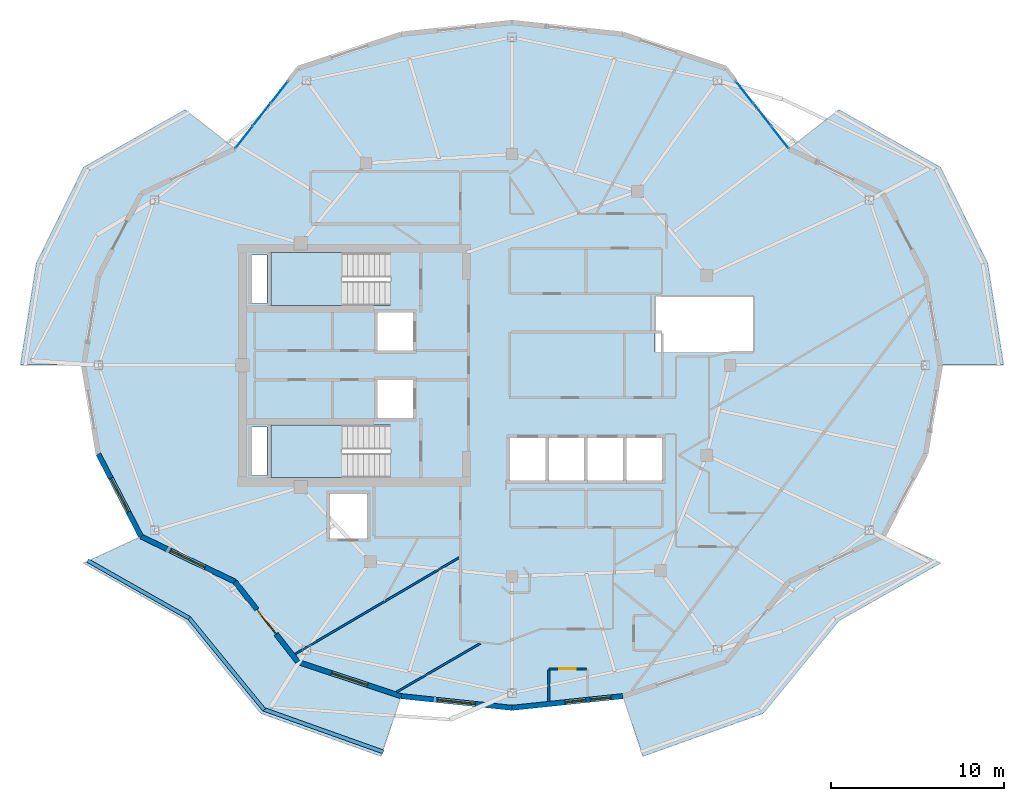
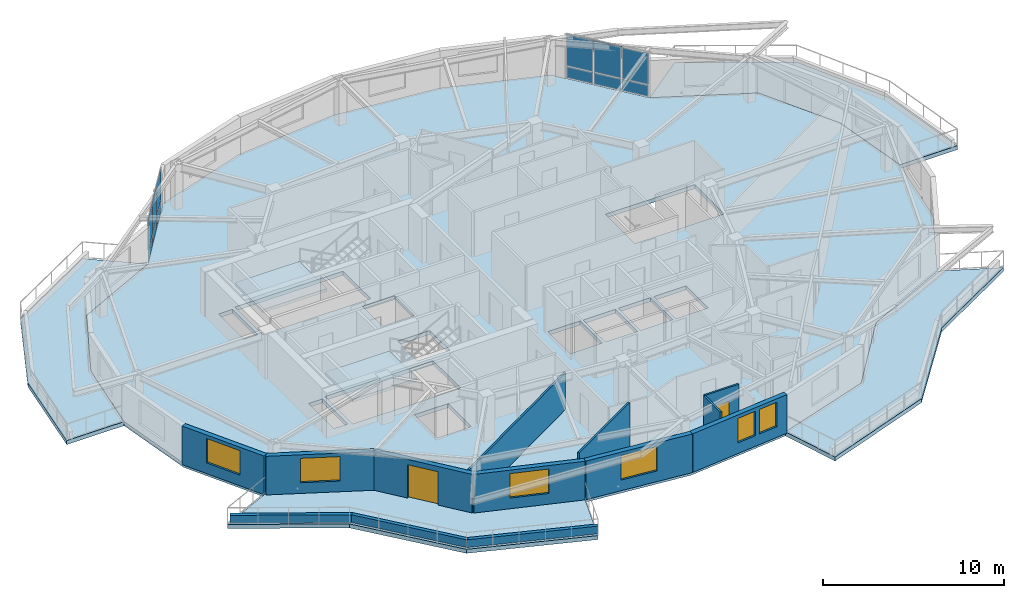
# One storey, part 4 of 12: 14 plates, 13 walls, 7 slabs, 6 windows, 2 doors, 8 openings, 4 elements without a shape of their own.
"""IFC4 building model written with IfcOpenShell, lengths in metres."""

from ifc_helpers import new_model, si_unit, direction, frame, frame_2d, origin, origin_2d, place, context, subcontext, project, spatial, polyline, rectangle, outline, extrude, material, layer, layer_set, type_object, element, fill, aggregate, save


model = new_model("IFC4")

# Units and contexts
model_context = context("Model", 3, precision=1e-05, world=origin(), true_north=direction((0.0, 1.0)))
body_context = subcontext(model_context, "Body", "Model", "MODEL_VIEW")
ifc_project = project(units=[si_unit("LENGTHUNIT", "METRE"), si_unit("AREAUNIT", "SQUARE_METRE"), si_unit("VOLUMEUNIT", "CUBIC_METRE"), si_unit("PLANEANGLEUNIT", "RADIAN"), si_unit("MASSUNIT", "GRAM", prefix="KILO")], contexts=[model_context])

# Site, building, storey
site_placement = place(None, origin())
site = spatial("IfcSite", under=ifc_project, at=site_placement, CompositionType="ELEMENT")
building_placement = place(site_placement, origin())
building = spatial("IfcBuilding", under=site, at=building_placement, Name="Kolvaren Gate Tower and Convention Centre", CompositionType="ELEMENT")
storey_placement = place(building_placement, frame((0.0, 0.0, 199.699951171875)))
storey = spatial("IfcBuildingStorey", under=building, at=storey_placement, Name="L52", CompositionType="ELEMENT", Elevation=199.699951171875)

# Plates
ifc_material_1 = material(Name="Perforated Anodized Bronze Aluminium Sheet 6 mm", Category="aluminium")
ifc_layer_1 = layer(ifc_material_1, 0.011962890625)
ifc_layer_set_1 = layer_set([ifc_layer_1], Name="Perforated Anodized Bronze Aluminium Sheet 6 mm")
plate_type_1 = type_object("IfcPlateType", Name="ARCH-PL-SCREEN-PERF", PredefinedType="SHEET", material=ifc_layer_set_1)
for number, where, z_axis, x_axis, name in (
    (1, (44.316162109375, 41.827392578125, 2.18994140625), (0.0, 0.0, 1.0), (0.616434119112, -0.787406487651, 0.0), "Tower L52 Perforated Bronze Solar Screen SS-03"),
    (2, (15.93359375, 41.827392578125, 2.18994140625), (0.0, 0.0, 1.0), (0.616434119112, 0.787406487651, 0.0), "Tower L52 Perforated Bronze Solar Screen SS-08"),
):
    element("IfcPlate", number, at=place(storey_placement, frame(where, z_axis=z_axis, x_axis=x_axis)), inside=storey, type_object=plate_type_1, Name=name, PredefinedType="SHEET", context=body_context, shape_type="SweptSolid", body=[
        extrude(rectangle(XDim=2.60009765625, YDim=0.011962890625, at=origin_2d()), origin(), (0.0, 0.0, 1.0), 0.840087890625),
    ])

# Curtain wall, plates
ifc_material_2 = material(Name="Anodized Architectural Aluminium Alloy 6063-T6", Category="aluminium")
ifc_layer_2 = layer(ifc_material_2, 0.159912109375)
ifc_layer_set_2 = layer_set([ifc_layer_2], Name="Anodized Architectural Aluminium Alloy 6063-T6")
curtain_wall_type = type_object("IfcCurtainWallType", Name="CW-RES-UNIT", PredefinedType="NOTDEFINED", material=ifc_layer_set_2)
curtain_wall_1_placement = place(storey_placement, origin())
curtain_wall_1 = element("IfcCurtainWall", 3, at=curtain_wall_1_placement, inside=storey, type_object=curtain_wall_type, Name="Tower L52 Unitised Curtain Wall CW-RES-UNIT Bay 03", PredefinedType="NOTDEFINED")
ifc_material_3 = material(Name="Low-E Triple Insulated Glazing Unit 44 mm", Category="glass")
ifc_layer_3 = layer(ifc_material_3, 0.0439453125)
ifc_layer_set_3 = layer_set([ifc_layer_3], Name="Low-E Triple Insulated Glazing Unit 44 mm")
plate_type_2 = type_object("IfcPlateType", Name="CW-PL-IGU-44", PredefinedType="CURTAIN_PANEL", material=ifc_layer_set_3)
plate_1_placement = place(storey_placement, frame((43.5654296875, 42.786376953125, 0.882568359375), z_axis=(0.0, 0.0, 1.0), x_axis=(0.616436709784, -0.787404459493, 0.0)))
plate_1 = element("IfcPlate", 4, at=plate_1_placement, type_object=plate_type_2, Name="CW-04 panel 1.2", PredefinedType="CURTAIN_PANEL", context=body_context, shape_type="SweptSolid", body=[
    extrude(rectangle(XDim=1.57470703125, YDim=0.0439453125, at=origin_2d()), origin(), (0.0, 0.0, 1.0), 2.08251953125),
])
plate_2_placement = place(storey_placement, frame((44.586181640625, 41.482421875, 0.882568359375), z_axis=(0.0, 0.0, 1.0), x_axis=(0.616436709784, -0.787404459493, 0.0)))
plate_2 = element("IfcPlate", 5, at=plate_2_placement, type_object=plate_type_2, Name="CW-04 panel 2.2", PredefinedType="CURTAIN_PANEL", context=body_context, shape_type="SweptSolid", body=[
    extrude(rectangle(XDim=1.607177734375, YDim=0.0439453125, at=origin_2d()), origin(), (0.0, 0.0, 1.0), 2.08251953125),
])
plate_3_placement = place(storey_placement, frame((45.607177734375, 40.178466796875, 0.882568359375), z_axis=(0.0, 0.0, 1.0), x_axis=(0.616436709784, -0.787404459493, 0.0)))
plate_3 = element("IfcPlate", 6, at=plate_3_placement, type_object=plate_type_2, Name="CW-04 panel 3.2", PredefinedType="CURTAIN_PANEL", context=body_context, shape_type="SweptSolid", body=[
    extrude(rectangle(XDim=1.57470703125, YDim=0.0439453125, at=origin_2d()), origin(), (0.0, 0.0, 1.0), 2.08251953125),
])

curtain_wall_2_placement = place(storey_placement, origin())
curtain_wall_2 = element("IfcCurtainWall", 7, at=curtain_wall_2_placement, inside=storey, type_object=curtain_wall_type, Name="Tower L52 Unitised Curtain Wall CW-RES-UNIT Bay 08", PredefinedType="NOTDEFINED")
plate_4_placement = place(storey_placement, frame((14.64306640625, 40.178466796875, 0.882568359375), z_axis=(0.0, 0.0, 1.0), x_axis=(0.616429718179, 0.787409932974, 0.0)))
plate_4 = element("IfcPlate", 8, at=plate_4_placement, type_object=plate_type_2, Name="CW-04 panel 1.2", PredefinedType="CURTAIN_PANEL", context=body_context, shape_type="SweptSolid", body=[
    extrude(rectangle(XDim=1.57470703125, YDim=0.0439453125, at=origin_2d()), origin(), (0.0, 0.0, 1.0), 2.08251953125),
])
plate_5_placement = place(storey_placement, frame((15.663818359375, 41.482421875, 0.882568359375), z_axis=(0.0, 0.0, 1.0), x_axis=(0.616429718179, 0.787409932974, 0.0)))
plate_5 = element("IfcPlate", 9, at=plate_5_placement, type_object=plate_type_2, Name="CW-04 panel 2.2", PredefinedType="CURTAIN_PANEL", context=body_context, shape_type="SweptSolid", body=[
    extrude(rectangle(XDim=1.607421875, YDim=0.0439453125, at=origin_2d()), origin(), (0.0, 0.0, 1.0), 2.08251953125),
])
plate_6_placement = place(storey_placement, frame((16.6845703125, 42.78662109375, 0.882568359375), z_axis=(0.0, 0.0, 1.0), x_axis=(0.616429718179, 0.787409932974, 0.0)))
plate_6 = element("IfcPlate", 10, at=plate_6_placement, type_object=plate_type_2, Name="CW-04 panel 3.2", PredefinedType="CURTAIN_PANEL", context=body_context, shape_type="SweptSolid", body=[
    extrude(rectangle(XDim=1.57470703125, YDim=0.0439453125, at=origin_2d()), origin(), (0.0, 0.0, 1.0), 2.08251953125),
])

# Plate
ifc_material_4 = material(Name="Solar-Control Laminated Curtain Glazing 36 mm", Category="glass")
ifc_layer_4 = layer(ifc_material_4, 0.035888671875)
ifc_layer_set_4 = layer_set([ifc_layer_4], Name="Solar-Control Laminated Curtain Glazing 36 mm")
plate_type_3 = type_object("IfcPlateType", Name="CW-PL-SPAN-36", PredefinedType="CURTAIN_PANEL", material=ifc_layer_set_4)
plate_7_placement = place(storey_placement, frame((43.5654296875, 42.786376953125, 0.065185546875), z_axis=(0.0, 0.0, 1.0), x_axis=(0.616436709784, -0.787404459493, 0.0)))
plate_7 = element("IfcPlate", 11, at=plate_7_placement, type_object=plate_type_3, Name="CW-04 panel 1.1", PredefinedType="CURTAIN_PANEL", context=body_context, shape_type="SweptSolid", body=[
    extrude(rectangle(XDim=1.57470703125, YDim=0.035888671875, at=origin_2d()), origin(), (0.0, 0.0, 1.0), 0.75244140625),
])

plate_8_placement = place(storey_placement, frame((44.586181640625, 41.482421875, 0.065185546875), z_axis=(0.0, 0.0, 1.0), x_axis=(0.616436709784, -0.787404459493, 0.0)))
plate_8 = element("IfcPlate", 12, at=plate_8_placement, type_object=plate_type_3, Name="CW-04 panel 2.1", PredefinedType="CURTAIN_PANEL", context=body_context, shape_type="SweptSolid", body=[
    extrude(rectangle(XDim=1.607177734375, YDim=0.035888671875, at=origin_2d()), origin(), (0.0, 0.0, 1.0), 0.75244140625),
])

plate_9_placement = place(storey_placement, frame((45.607177734375, 40.178466796875, 0.065185546875), z_axis=(0.0, 0.0, 1.0), x_axis=(0.616436709784, -0.787404459493, 0.0)))
plate_9 = element("IfcPlate", 13, at=plate_9_placement, type_object=plate_type_3, Name="CW-04 panel 3.1", PredefinedType="CURTAIN_PANEL", context=body_context, shape_type="SweptSolid", body=[
    extrude(rectangle(XDim=1.57470703125, YDim=0.035888671875, at=origin_2d()), origin(), (0.0, 0.0, 1.0), 0.75244140625),
])

aggregate(curtain_wall_1, [plate_7, plate_1, plate_8, plate_2, plate_9, plate_3])

plate_10_placement = place(storey_placement, frame((14.64306640625, 40.178466796875, 0.065185546875), z_axis=(0.0, 0.0, 1.0), x_axis=(0.616429718179, 0.787409932974, 0.0)))
plate_10 = element("IfcPlate", 14, at=plate_10_placement, type_object=plate_type_3, Name="CW-04 panel 1.1", PredefinedType="CURTAIN_PANEL", context=body_context, shape_type="SweptSolid", body=[
    extrude(rectangle(XDim=1.57470703125, YDim=0.035888671875, at=origin_2d()), origin(), (0.0, 0.0, 1.0), 0.75244140625),
])

plate_11_placement = place(storey_placement, frame((15.663818359375, 41.482421875, 0.065185546875), z_axis=(0.0, 0.0, 1.0), x_axis=(0.616429718179, 0.787409932974, 0.0)))
plate_11 = element("IfcPlate", 15, at=plate_11_placement, type_object=plate_type_3, Name="CW-04 panel 2.1", PredefinedType="CURTAIN_PANEL", context=body_context, shape_type="SweptSolid", body=[
    extrude(rectangle(XDim=1.607421875, YDim=0.035888671875, at=origin_2d()), origin(), (0.0, 0.0, 1.0), 0.75244140625),
])

plate_12_placement = place(storey_placement, frame((16.6845703125, 42.78662109375, 0.065185546875), z_axis=(0.0, 0.0, 1.0), x_axis=(0.616429718179, 0.787409932974, 0.0)))
plate_12 = element("IfcPlate", 16, at=plate_12_placement, type_object=plate_type_3, Name="CW-04 panel 3.1", PredefinedType="CURTAIN_PANEL", context=body_context, shape_type="SweptSolid", body=[
    extrude(rectangle(XDim=1.57470703125, YDim=0.035888671875, at=origin_2d()), origin(), (0.0, 0.0, 1.0), 0.75244140625),
])

aggregate(curtain_wall_2, [plate_10, plate_4, plate_11, plate_5, plate_12, plate_6])

# Slabs
ifc_material_5 = material(Name="Concrete C50/60", Category="concrete")
ifc_layer_5 = layer(ifc_material_5, 0.27001953125)
ifc_layer_set_5 = layer_set([ifc_layer_5], Name="Concrete C50/60")
slab_type_1 = type_object("IfcSlabType", Name="STR-SL-BALC-270", PredefinedType="FLOOR", material=ifc_layer_set_5)
slab_1_placement = place(storey_placement, frame((0.0, 0.0, -0.27001953125)))
element("IfcSlab", 17, at=slab_1_placement, inside=storey, type_object=slab_type_1, Name="Tower L52 Planted Balcony Terrace Slab 1 (East)", PredefinedType="FLOOR", context=body_context, shape_type="SweptSolid", body=[
    extrude(outline(polyline([(54.875, 27.0), (54.03173828125, 32.12451171875), (51.55908203125, 36.89990234375), (46.132568359375, 39.50732421875), (49.0166015625, 41.7607421875), (54.8818359375, 38.434814453125), (57.6103515625, 32.8916015625), (58.534912109375, 27.0), (54.875, 27.0)])), origin(), (0.0, 0.0, 1.0), 0.27001953125),
])
slab_2_placement = place(storey_placement, frame((0.0, 0.0, -0.27001953125)))
element("IfcSlab", 18, at=slab_2_placement, inside=storey, type_object=slab_type_1, Name="Tower L52 Planted Balcony Terrace Slab 2 (West)", PredefinedType="FLOOR", context=body_context, shape_type="SweptSolid", body=[
    extrude(outline(polyline([(14.117431640625, 39.50732421875), (8.69091796875, 36.89990234375), (6.21826171875, 32.12451171875), (5.375, 27.0), (1.715087890625, 27.0), (2.6396484375, 32.8916015625), (5.3681640625, 38.434814453125), (11.2333984375, 41.7607421875), (14.117431640625, 39.50732421875)])), origin(), (0.0, 0.0, 1.0), 0.27001953125),
])
slab_3_placement = place(storey_placement, frame((0.0, 0.0, -0.27001953125)))
element("IfcSlab", 19, at=slab_3_placement, inside=storey, type_object=slab_type_1, Name="Tower L52 Planted Balcony Terrace Slab 3 (South)", PredefinedType="FLOOR", context=body_context, shape_type="SweptSolid", body=[
    extrude(outline(polyline([(8.69091796875, 17.10009765625), (14.117431640625, 14.49267578125), (17.75, 9.852783203125), (23.71923828125, 7.874755859375), (22.556884765625, 4.404296875), (15.608154296875, 6.885009765625), (11.2333984375, 12.2392578125), (5.3681640625, 15.565185546875), (8.69091796875, 17.10009765625)])), origin(), (0.0, 0.0, 1.0), 0.27001953125),
])
slab_4_placement = place(storey_placement, frame((0.0, 0.0, -0.27001953125)))
element("IfcSlab", 20, at=slab_4_placement, inside=storey, type_object=slab_type_1, Name="Tower L52 Planted Balcony Terrace Slab 4 (South)", PredefinedType="FLOOR", context=body_context, shape_type="SweptSolid", body=[
    extrude(outline(polyline([(36.53076171875, 7.874755859375), (42.5, 9.852783203125), (46.132568359375, 14.49267578125), (51.55908203125, 17.10009765625), (54.8818359375, 15.565185546875), (49.0166015625, 12.2392578125), (44.641845703125, 6.885009765625), (37.693115234375, 4.404296875), (36.53076171875, 7.874755859375)])), origin(), (0.0, 0.0, 1.0), 0.27001953125),
])
ifc_material_6 = material(Name="Concrete C40/50", Category="concrete")
ifc_layer_6 = layer(ifc_material_6, 0.27001953125)
ifc_layer_set_6 = layer_set([ifc_layer_6], Name="Concrete C40/50")
slab_type_2 = type_object("IfcSlabType", Name="STR-SL-FLR-270", PredefinedType="FLOOR", material=ifc_layer_set_6)
slab_5_placement = place(storey_placement, frame((0.0, 0.0, -0.27001953125)))
element("IfcSlab", 21, at=slab_5_placement, inside=storey, type_object=slab_type_2, Name="Tower L52 Structural Floor Slab", PredefinedType="FLOOR", context=body_context, shape_type="SweptSolid", body=[
    extrude(outline(polyline([(54.875, 27.0), (54.03173828125, 32.12451171875), (51.55908203125, 36.89990234375), (46.132568359375, 39.50732421875), (42.5, 44.147216796875), (36.53076171875, 46.125244140625), (30.125, 46.800048828125), (23.71923828125, 46.125244140625), (17.75, 44.147216796875), (14.117431640625, 39.50732421875), (8.69091796875, 36.89990234375), (6.21826171875, 32.12451171875), (5.375, 27.0), (6.21826171875, 21.87548828125), (8.69091796875, 17.10009765625), (14.117431640625, 14.49267578125), (17.75, 9.852783203125), (23.71923828125, 7.874755859375), (30.125, 7.199951171875), (36.53076171875, 7.874755859375), (42.5, 9.852783203125), (46.132568359375, 14.49267578125), (51.55908203125, 17.10009765625), (54.03173828125, 21.87548828125), (54.875, 27.0)]), holes=[polyline([(38.39990234375, 27.75), (38.39990234375, 31.0), (44.10009765625, 31.0), (44.10009765625, 27.75), (38.39990234375, 27.75)]), polyline([(38.800048828125, 20.35009765625), (36.75, 20.35009765625), (36.75, 22.800048828125), (38.800048828125, 22.800048828125), (38.800048828125, 20.35009765625)]), polyline([(34.5, 20.35009765625), (34.5, 22.800048828125), (36.550048828125, 22.800048828125), (36.550048828125, 20.35009765625), (34.5, 20.35009765625)]), polyline([(32.25, 20.35009765625), (32.25, 22.800048828125), (34.300048828125, 22.800048828125), (34.300048828125, 20.35009765625), (32.25, 20.35009765625)]), polyline([(32.050048828125, 20.35009765625), (30.0, 20.35009765625), (30.0, 22.800048828125), (32.050048828125, 22.800048828125), (32.050048828125, 20.35009765625)]), polyline([(22.35009765625, 23.9599609375), (22.35009765625, 26.159912109375), (24.39990234375, 26.159912109375), (24.39990234375, 23.9599609375), (22.35009765625, 23.9599609375)]), polyline([(24.39990234375, 27.840087890625), (22.35009765625, 27.840087890625), (22.35009765625, 30.0400390625), (24.39990234375, 30.0400390625), (24.39990234375, 27.840087890625)]), polyline([(23.10009765625, 23.5400390625), (23.10009765625, 20.5), (16.199951171875, 20.5), (16.199951171875, 23.5400390625), (23.10009765625, 23.5400390625)]), polyline([(23.10009765625, 33.5), (23.10009765625, 30.4599609375), (16.199951171875, 30.4599609375), (16.199951171875, 33.5), (23.10009765625, 33.5)]), polyline([(21.75, 17.0), (19.60009765625, 17.0), (19.60009765625, 19.550048828125), (21.75, 19.550048828125), (21.75, 17.0)]), polyline([(15.080078125, 20.6298828125), (15.080078125, 23.419921875), (15.969970703125, 23.419921875), (15.969970703125, 20.6298828125), (15.080078125, 20.6298828125)]), polyline([(15.080078125, 30.580078125), (15.080078125, 33.3701171875), (15.969970703125, 33.3701171875), (15.969970703125, 30.580078125), (15.080078125, 30.580078125)])]), origin(), (0.0, 0.0, 1.0), 0.27001953125),
])

# Stair, slab
stair_type = type_object("IfcStairType", Name="STR-STAIR-CORE", PredefinedType="HALF_TURN_STAIR", material=ifc_material_5)
stair_1_placement = place(storey_placement, origin())
stair_1 = element("IfcStair", 22, at=stair_1_placement, inside=storey, type_object=stair_type, Name="L52 Tower North Exit Stair ST-T1", PredefinedType="HALF_TURN_STAIR")
ifc_layer_7 = layer(ifc_material_5, 0.199951171875)
ifc_layer_set_7 = layer_set([ifc_layer_7], Name="Concrete C50/60")
slab_type_3 = type_object("IfcSlabType", Name="STR-SL-LAND-200", PredefinedType="LANDING", material=ifc_layer_set_7)
slab_6_placement = place(storey_placement, frame((0.0, 0.0, 1.449951171875)))
slab_6 = element("IfcSlab", 23, at=slab_6_placement, type_object=slab_type_3, Name="ST-T1 landing 1", PredefinedType="LANDING", context=body_context, shape_type="SweptSolid", body=[
    extrude(outline(polyline([(20.31005859375, 33.5), (16.199951171875, 33.5), (16.199951171875, 30.4599609375), (20.31005859375, 30.4599609375), (20.31005859375, 33.5)])), origin(), (0.0, 0.0, 1.0), 0.2001953125),
])
aggregate(stair_1, [slab_6])

stair_2_placement = place(storey_placement, origin())
stair_2 = element("IfcStair", 24, at=stair_2_placement, inside=storey, type_object=stair_type, Name="L52 Tower South Exit Stair ST-T2", PredefinedType="HALF_TURN_STAIR")
slab_7_placement = place(storey_placement, frame((0.0, 0.0, 1.449951171875)))
slab_7 = element("IfcSlab", 25, at=slab_7_placement, type_object=slab_type_3, Name="ST-T2 landing 1", PredefinedType="LANDING", context=body_context, shape_type="SweptSolid", body=[
    extrude(outline(polyline([(20.31005859375, 23.5400390625), (16.199951171875, 23.5400390625), (16.199951171875, 20.5), (20.31005859375, 20.5), (20.31005859375, 23.5400390625)])), origin(), (0.0, 0.0, 1.0), 0.2001953125),
])
aggregate(stair_2, [slab_7])

# Walls
ifc_material_7 = material(Name="Fire-Rated Acoustic Gypsum Stud Partition", Category="gypsum")
ifc_layer_8 = layer(ifc_material_7, 0.1201171875)
ifc_layer_set_8 = layer_set([ifc_layer_8], Name="Fire-Rated Acoustic Gypsum Stud Partition")
wall_type_1 = type_object("IfcWallType", Name="ARCH-WL-PART-120", PredefinedType="PARTITIONING", material=ifc_layer_set_8)
wall_1_placement = place(storey_placement, frame((17.58837890625, 10.3056640625, 0.0), z_axis=(0.0, 0.0, 1.0), x_axis=(0.861937637277, 0.507014308915, 0.0)))
element("IfcWall", 26, at=wall_1_placement, inside=storey, type_object=wall_type_1, Name="Interior Partition WL-L52-INT-063", PredefinedType="PARTITIONING", context=body_context, shape_type="SweptSolid", body=[
    extrude(rectangle(XDim=11.00390625, YDim=0.1201171875, at=frame_2d((5.501953125, 0.0))), origin(), (0.0, 0.0, 1.0), 2.47802734375),
])
wall_2_placement = place(storey_placement, frame((23.463623046875, 8.119384765625, 0.0), z_axis=(0.0, 0.0, 1.0), x_axis=(0.86472230767, 0.502250266917, 0.0)))
element("IfcWall", 27, at=wall_2_placement, inside=storey, type_object=wall_type_1, Name="Interior Partition WL-L52-INT-065", PredefinedType="PARTITIONING", context=body_context, shape_type="SweptSolid", body=[
    extrude(rectangle(XDim=5.594482421875, YDim=0.1201171875, at=frame_2d((2.79736328125, 0.0))), origin(), (0.0, 0.0, 1.0), 3.030029296875),
])

# Wall, opening, door
wall_3_placement = place(storey_placement, frame((32.25, 9.449951171875, 0.0), z_axis=(0.0, 0.0, 1.0), x_axis=(1.0, 0.0, 0.0)))
wall_3 = element("IfcWall", 28, at=wall_3_placement, inside=storey, type_object=wall_type_1, Name="Interior Partition WL-L52-INT-073", PredefinedType="PARTITIONING", context=body_context, shape_type="SweptSolid", body=[
    extrude(rectangle(XDim=2.18798828125, YDim=0.1201171875, at=frame_2d((1.093994140625, 0.0))), origin(), (0.0, 0.0, 1.0), 3.030029296875),
])
opening_1_placement = place(wall_3_placement, frame((0.618896484375, 0.0, 0.0)))
opening_1 = element("IfcOpeningElement", 29, at=opening_1_placement, cuts=wall_3, Name="Opening DI-01", PredefinedType="OPENING", context=body_context, shape_type="SweptSolid", body=[
    extrude(rectangle(XDim=0.949951171875, YDim=2.10009765625, at=frame_2d((0.47509765625, 1.050048828125))), frame((0.0, 0.070068359375, 0.0), z_axis=(0.0, -1.0, 0.0), x_axis=(1.0, 0.0, 0.0)), (0.0, 0.0, 1.0), 0.14013671875),
])
ifc_material_8 = material(Name="FSC Andean Oak Engineered Veneer Door Leaf", Category="wood")
door_type_1 = type_object("IfcDoorType", Name="ARCH-DR-INT-950", OperationType="SINGLE_SWING_LEFT", PredefinedType="DOOR", material=ifc_material_8)
door_1_placement = place(opening_1_placement, origin())
door_1 = element("IfcDoor", 30, at=door_1_placement, inside=storey, type_object=door_type_1, Name="Studio Fitted Kitchen (APT-L52-01) Door", OperationType="SINGLE_SWING_RIGHT", OverallHeight=2.10009765625, OverallWidth=0.949951171875, PredefinedType="DOOR", context=body_context, shape_type="SweptSolid", body=[
    extrude(rectangle(XDim=0.949951171875, YDim=2.10009765625, at=frame_2d((0.47509765625, 1.050048828125))), frame((0.0, 0.02490234375, 0.0), z_axis=(0.0, -1.0, 0.0), x_axis=(1.0, 0.0, 0.0)), (0.0, 0.0, 1.0), 0.050048828125),
])
fill(opening_1, door_1)

# Walls
wall_4_placement = place(storey_placement, frame((32.25, 7.57666015625, 0.0), z_axis=(0.0, 0.0, 1.0), x_axis=(0.0, 1.0, 0.0)))
element("IfcWall", 31, at=wall_4_placement, inside=storey, type_object=wall_type_1, Name="Interior Partition WL-L52-INT-074", PredefinedType="PARTITIONING", context=body_context, shape_type="SweptSolid", body=[
    extrude(rectangle(XDim=1.811279296875, YDim=0.1201171875, at=frame_2d((0.90576171875, 0.0))), origin(), (0.0, 0.0, 1.0), 3.030029296875),
])
ifc_material_9 = material(Name="Piedmont Cream Honed Limestone Cladding", Category="masonry")
ifc_layer_9 = layer(ifc_material_9, 0.219970703125)
ifc_layer_set_9 = layer_set([ifc_layer_9], Name="Piedmont Cream Honed Limestone Cladding")
wall_type_2 = type_object("IfcWallType", Name="ARCH-WL-PLANTER-220", PredefinedType="PARAPET", material=ifc_layer_set_9)
wall_5_placement = place(storey_placement, frame((5.6083984375, 15.70947265625, 0.0), z_axis=(0.0, 0.0, 1.0), x_axis=(0.869860619267, -0.493297580623, 0.0)))
element("IfcWall", 32, at=wall_5_placement, inside=storey, type_object=wall_type_2, Name="Vertical-Forest Balcony Stone Planter Kerb PK-L52-3.1", PredefinedType="PARAPET", context=body_context, shape_type="SweptSolid", body=[
    extrude(rectangle(XDim=6.74267578125, YDim=0.219970703125, at=frame_2d((3.371337890625, 0.0))), origin(), (0.0, 0.0, 1.0), 0.52001953125),
])
wall_6_placement = place(storey_placement, frame((11.42724609375, 12.44140625, 0.0), z_axis=(0.0, 0.0, 1.0), x_axis=(0.632697312147, -0.774399193699, 0.0)))
element("IfcWall", 33, at=wall_6_placement, inside=storey, type_object=wall_type_2, Name="Vertical-Forest Balcony Stone Planter Kerb PK-L52-3.2", PredefinedType="PARAPET", context=body_context, shape_type="SweptSolid", body=[
    extrude(rectangle(XDim=6.9140625, YDim=0.219970703125, at=frame_2d((3.45703125, 0.0))), origin(), (0.0, 0.0, 1.0), 0.52001953125),
])
wall_7_placement = place(storey_placement, frame((15.73681640625, 7.133544921875, 0.0), z_axis=(0.0, 0.0, 1.0), x_axis=(0.941780086523, -0.336229488042, 0.0)))
element("IfcWall", 34, at=wall_7_placement, inside=storey, type_object=wall_type_2, Name="Vertical-Forest Balcony Stone Planter Kerb PK-L52-3.3", PredefinedType="PARAPET", context=body_context, shape_type="SweptSolid", body=[
    extrude(rectangle(XDim=7.3779296875, YDim=0.219970703125, at=frame_2d((3.68896484375, 0.0))), origin(), (0.0, 0.0, 1.0), 0.52001953125),
])

# Wall, opening, window
ifc_layer_10 = layer(ifc_material_9, 0.300048828125)
ifc_layer_set_10 = layer_set([ifc_layer_10], Name="Piedmont Cream Honed Limestone Cladding")
wall_type_3 = type_object("IfcWallType", Name="ARCH-WL-STONE-300", PredefinedType="SOLIDWALL", material=ifc_layer_set_10)
wall_8_placement = place(storey_placement, frame((6.21826171875, 21.87548828125, 0.0), z_axis=(0.0, 0.0, 1.0), x_axis=(0.459808219482, -0.888018243786, 0.0)))
wall_8 = element("IfcWall", 35, at=wall_8_placement, inside=storey, type_object=wall_type_3, Name="Tower L52 Honed Stone Spandrel Wall EW-13", PredefinedType="SOLIDWALL", context=body_context, shape_type="SweptSolid", body=[
    extrude(rectangle(XDim=5.377685546875, YDim=0.300048828125, at=frame_2d((2.68896484375, 0.0))), origin(), (0.0, 0.0, 1.0), 2.60498046875),
])
opening_2_placement = place(wall_8_placement, frame((1.589111328125, 0.0, 0.719970703125)))
opening_2 = element("IfcOpeningElement", 36, at=opening_2_placement, cuts=wall_8, Name="Opening W-03", PredefinedType="OPENING", context=body_context, shape_type="SweptSolid", body=[
    extrude(rectangle(XDim=2.199951171875, YDim=1.64990234375, at=frame_2d((1.10009765625, 0.824951171875))), frame((0.0, 0.159912109375, 0.0), z_axis=(0.0, -1.0, 0.0), x_axis=(1.0, 0.0, 0.0)), (0.0, 0.0, 1.0), 0.320068359375),
])
window_type_1 = type_object("IfcWindowType", Name="ARCH-WN-RES-2200", PartitioningType="SINGLE_PANEL", PredefinedType="WINDOW", material=ifc_material_3)
window_1_placement = place(opening_2_placement, origin())
window_1 = element("IfcWindow", 37, at=window_1_placement, inside=storey, type_object=window_type_1, Name="Tower L52 Punched Stone Facade Window W-13", OverallHeight=1.64990234375, OverallWidth=2.199951171875, PartitioningType="SINGLE_PANEL", PredefinedType="WINDOW", context=body_context, shape_type="SweptSolid", body=[
    extrude(rectangle(XDim=2.199951171875, YDim=1.64990234375, at=frame_2d((1.10009765625, 0.824951171875))), frame((0.0, 0.030029296875, 0.0), z_axis=(0.0, -1.0, 0.0), x_axis=(1.0, 0.0, 0.0)), (0.0, 0.0, 1.0), 0.06005859375),
])
fill(opening_2, window_1)

wall_9_placement = place(storey_placement, frame((8.69091796875, 17.10009765625, 0.0), z_axis=(0.0, 0.0, 1.0), x_axis=(0.901348331142, -0.433094892545, 0.0)))
wall_9 = element("IfcWall", 38, at=wall_9_placement, inside=storey, type_object=wall_type_3, Name="Tower L52 Honed Stone Spandrel Wall EW-14", PredefinedType="SOLIDWALL", context=body_context, shape_type="SweptSolid", body=[
    extrude(rectangle(XDim=6.0205078125, YDim=0.300048828125, at=frame_2d((3.01025390625, 0.0))), origin(), (0.0, 0.0, 1.0), 2.60498046875),
])
opening_3_placement = place(wall_9_placement, frame((1.909912109375, 0.0, 0.719970703125)))
opening_3 = element("IfcOpeningElement", 39, at=opening_3_placement, cuts=wall_9, Name="Opening W-03", PredefinedType="OPENING", context=body_context, shape_type="SweptSolid", body=[
    extrude(rectangle(XDim=2.199951171875, YDim=1.64990234375, at=frame_2d((1.10009765625, 0.824951171875))), frame((0.0, 0.159912109375, 0.0), z_axis=(0.0, -1.0, 0.0), x_axis=(1.0, 0.0, 0.0)), (0.0, 0.0, 1.0), 0.320068359375),
])
window_2_placement = place(opening_3_placement, origin())
window_2 = element("IfcWindow", 40, at=window_2_placement, inside=storey, type_object=window_type_1, Name="Tower L52 Punched Stone Facade Window W-14", OverallHeight=1.64990234375, OverallWidth=2.199951171875, PartitioningType="SINGLE_PANEL", PredefinedType="WINDOW", context=body_context, shape_type="SweptSolid", body=[
    extrude(rectangle(XDim=2.199951171875, YDim=1.64990234375, at=frame_2d((1.10009765625, 0.824951171875))), frame((0.0, 0.030029296875, 0.0), z_axis=(0.0, -1.0, 0.0), x_axis=(1.0, 0.0, 0.0)), (0.0, 0.0, 1.0), 0.06005859375),
])
fill(opening_3, window_2)

# Wall, opening, door
wall_10_placement = place(storey_placement, frame((14.117431640625, 14.49267578125, 0.0), z_axis=(0.0, 0.0, 1.0), x_axis=(0.616450126935, -0.787393955401, 0.0)))
wall_10 = element("IfcWall", 41, at=wall_10_placement, inside=storey, type_object=wall_type_3, Name="Tower L52 Honed Stone Spandrel Wall EW-15", PredefinedType="SOLIDWALL", context=body_context, shape_type="SweptSolid", body=[
    extrude(rectangle(XDim=5.892822265625, YDim=0.300048828125, at=frame_2d((2.9462890625, 0.0))), origin(), (0.0, 0.0, 1.0), 2.60498046875),
])
opening_4_placement = place(wall_10_placement, frame((2.0458984375, 0.0, 0.0)))
opening_4 = element("IfcOpeningElement", 42, at=opening_4_placement, cuts=wall_10, Name="Opening DB-01", PredefinedType="OPENING", context=body_context, shape_type="SweptSolid", body=[
    extrude(rectangle(XDim=1.800048828125, YDim=2.25, at=frame_2d((0.89990234375, 1.125))), frame((0.0, 0.159912109375, 0.0), z_axis=(0.0, -1.0, 0.0), x_axis=(1.0, 0.0, 0.0)), (0.0, 0.0, 1.0), 0.320068359375),
])
door_type_2 = type_object("IfcDoorType", Name="ARCH-DR-BALC-1800", OperationType="SLIDING_TO_LEFT", PredefinedType="DOOR", material=ifc_material_2)
door_2_placement = place(opening_4_placement, frame((1.800048828125, 0.0, 0.0), z_axis=(0.0, 0.0, 1.0), x_axis=(-1.0, 0.0, 0.0)))
door_2 = element("IfcDoor", 43, at=door_2_placement, inside=storey, type_object=door_type_2, Name="Planted Sky Terrace Access Door DB-L52-15", OperationType="SLIDING_TO_LEFT", OverallHeight=2.25, OverallWidth=1.800048828125, PredefinedType="DOOR", context=body_context, shape_type="SweptSolid", body=[
    extrude(rectangle(XDim=1.800048828125, YDim=2.25, at=frame_2d((0.89990234375, 1.125))), frame((0.0, 0.02490234375, 0.0), z_axis=(0.0, -1.0, 0.0), x_axis=(1.0, 0.0, 0.0)), (0.0, 0.0, 1.0), 0.050048828125),
])
fill(opening_4, door_2)

# Wall, opening, window
wall_11_placement = place(storey_placement, frame((17.75, 9.852783203125, 0.0), z_axis=(0.0, 0.0, 1.0), x_axis=(0.949240877604, -0.314550085495, 0.0)))
wall_11 = element("IfcWall", 44, at=wall_11_placement, inside=storey, type_object=wall_type_3, Name="Tower L52 Honed Stone Spandrel Wall EW-16", PredefinedType="SOLIDWALL", context=body_context, shape_type="SweptSolid", body=[
    extrude(rectangle(XDim=6.288330078125, YDim=0.300048828125, at=frame_2d((3.14404296875, 0.0))), origin(), (0.0, 0.0, 1.0), 2.60498046875),
])
opening_5_placement = place(wall_11_placement, frame((2.0439453125, 0.0, 0.719970703125)))
opening_5 = element("IfcOpeningElement", 45, at=opening_5_placement, cuts=wall_11, Name="Opening W-03", PredefinedType="OPENING", context=body_context, shape_type="SweptSolid", body=[
    extrude(rectangle(XDim=2.199951171875, YDim=1.64990234375, at=frame_2d((1.10009765625, 0.824951171875))), frame((0.0, 0.159912109375, 0.0), z_axis=(0.0, -1.0, 0.0), x_axis=(1.0, 0.0, 0.0)), (0.0, 0.0, 1.0), 0.320068359375),
])
window_3_placement = place(opening_5_placement, origin())
window_3 = element("IfcWindow", 46, at=window_3_placement, inside=storey, type_object=window_type_1, Name="Tower L52 Punched Stone Facade Window W-16", OverallHeight=1.64990234375, OverallWidth=2.199951171875, PartitioningType="SINGLE_PANEL", PredefinedType="WINDOW", context=body_context, shape_type="SweptSolid", body=[
    extrude(rectangle(XDim=2.199951171875, YDim=1.64990234375, at=frame_2d((1.10009765625, 0.824951171875))), frame((0.0, 0.030029296875, 0.0), z_axis=(0.0, -1.0, 0.0), x_axis=(1.0, 0.0, 0.0)), (0.0, 0.0, 1.0), 0.06005859375),
])
fill(opening_5, window_3)

wall_12_placement = place(storey_placement, frame((23.71923828125, 7.874755859375, 0.0), z_axis=(0.0, 0.0, 1.0), x_axis=(0.994497142298, -0.104763705363, 0.0)))
wall_12 = element("IfcWall", 47, at=wall_12_placement, inside=storey, type_object=wall_type_3, Name="Tower L52 Honed Stone Spandrel Wall EW-17", PredefinedType="SOLIDWALL", context=body_context, shape_type="SweptSolid", body=[
    extrude(rectangle(XDim=6.441162109375, YDim=0.300048828125, at=frame_2d((3.220703125, 0.0))), origin(), (0.0, 0.0, 1.0), 2.60498046875),
])
opening_6_placement = place(wall_12_placement, frame((2.12109375, 0.0, 0.719970703125)))
opening_6 = element("IfcOpeningElement", 48, at=opening_6_placement, cuts=wall_12, Name="Opening W-03", PredefinedType="OPENING", context=body_context, shape_type="SweptSolid", body=[
    extrude(rectangle(XDim=2.199951171875, YDim=1.64990234375, at=frame_2d((1.10009765625, 0.824951171875))), frame((0.0, 0.159912109375, 0.0), z_axis=(0.0, -1.0, 0.0), x_axis=(1.0, 0.0, 0.0)), (0.0, 0.0, 1.0), 0.320068359375),
])
window_4_placement = place(opening_6_placement, origin())
window_4 = element("IfcWindow", 49, at=window_4_placement, inside=storey, type_object=window_type_1, Name="Tower L52 Punched Stone Facade Window W-17", OverallHeight=1.64990234375, OverallWidth=2.199951171875, PartitioningType="SINGLE_PANEL", PredefinedType="WINDOW", context=body_context, shape_type="SweptSolid", body=[
    extrude(rectangle(XDim=2.199951171875, YDim=1.64990234375, at=frame_2d((1.10009765625, 0.824951171875))), frame((0.0, 0.030029296875, 0.0), z_axis=(0.0, -1.0, 0.0), x_axis=(1.0, 0.0, 0.0)), (0.0, 0.0, 1.0), 0.06005859375),
])
fill(opening_6, window_4)

# Wall, openings, windows
wall_13_placement = place(storey_placement, frame((30.125, 7.199951171875, 0.0), z_axis=(0.0, 0.0, 1.0), x_axis=(0.994497142298, 0.104763705363, 0.0)))
wall_13 = element("IfcWall", 50, at=wall_13_placement, inside=storey, type_object=wall_type_3, Name="Tower L52 Honed Stone Spandrel Wall EW-18", PredefinedType="SOLIDWALL", context=body_context, shape_type="SweptSolid", body=[
    extrude(rectangle(XDim=6.441162109375, YDim=0.300048828125, at=frame_2d((3.220703125, 0.0))), origin(), (0.0, 0.0, 1.0), 2.60498046875),
])
opening_7_placement = place(wall_13_placement, frame((3.085205078125, 0.0, 0.719970703125)))
opening_7 = element("IfcOpeningElement", 51, at=opening_7_placement, cuts=wall_13, Name="Opening W-04", PredefinedType="OPENING", context=body_context, shape_type="SweptSolid", body=[
    extrude(rectangle(XDim=1.199951171875, YDim=1.64990234375, at=frame_2d((0.60009765625, 0.824951171875))), frame((0.0, 0.159912109375, 0.0), z_axis=(0.0, -1.0, 0.0), x_axis=(1.0, 0.0, 0.0)), (0.0, 0.0, 1.0), 0.320068359375),
])
opening_8_placement = place(wall_13_placement, frame((4.5517578125, 0.0, 0.719970703125)))
opening_8 = element("IfcOpeningElement", 52, at=opening_8_placement, cuts=wall_13, Name="Opening W-04", PredefinedType="OPENING", context=body_context, shape_type="SweptSolid", body=[
    extrude(rectangle(XDim=1.199951171875, YDim=1.64990234375, at=frame_2d((0.60009765625, 0.824951171875))), frame((0.0, 0.159912109375, 0.0), z_axis=(0.0, -1.0, 0.0), x_axis=(1.0, 0.0, 0.0)), (0.0, 0.0, 1.0), 0.320068359375),
])
window_type_2 = type_object("IfcWindowType", Name="ARCH-WN-NARROW-1200", PartitioningType="SINGLE_PANEL", PredefinedType="WINDOW", material=ifc_material_3)
window_5_placement = place(opening_7_placement, origin())
window_5 = element("IfcWindow", 53, at=window_5_placement, inside=storey, type_object=window_type_2, Name="Tower L52 Punched Stone Facade Window W-18", OverallHeight=1.64990234375, OverallWidth=1.199951171875, PartitioningType="SINGLE_PANEL", PredefinedType="WINDOW", context=body_context, shape_type="SweptSolid", body=[
    extrude(rectangle(XDim=1.199951171875, YDim=1.64990234375, at=frame_2d((0.60009765625, 0.824951171875))), frame((0.0, 0.030029296875, 0.0), z_axis=(0.0, -1.0, 0.0), x_axis=(1.0, 0.0, 0.0)), (0.0, 0.0, 1.0), 0.06005859375),
])
fill(opening_7, window_5)
window_6_placement = place(opening_8_placement, origin())
window_6 = element("IfcWindow", 54, at=window_6_placement, inside=storey, type_object=window_type_2, Name="Tower L52 Punched Stone Facade Window W-18B", OverallHeight=1.64990234375, OverallWidth=1.199951171875, PartitioningType="SINGLE_PANEL", PredefinedType="WINDOW", context=body_context, shape_type="SweptSolid", body=[
    extrude(rectangle(XDim=1.199951171875, YDim=1.64990234375, at=frame_2d((0.60009765625, 0.824951171875))), frame((0.0, 0.030029296875, 0.0), z_axis=(0.0, -1.0, 0.0), x_axis=(1.0, 0.0, 0.0)), (0.0, 0.0, 1.0), 0.06005859375),
])
fill(opening_8, window_6)

save(model, "model.ifc")
